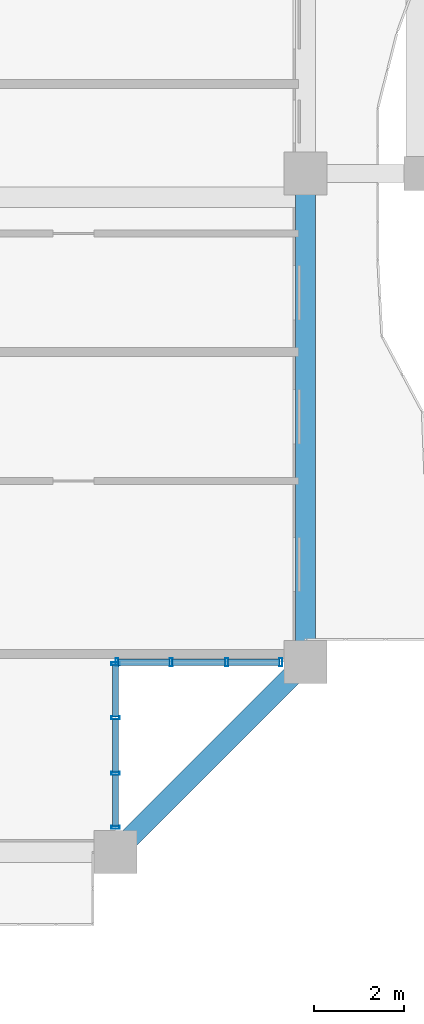
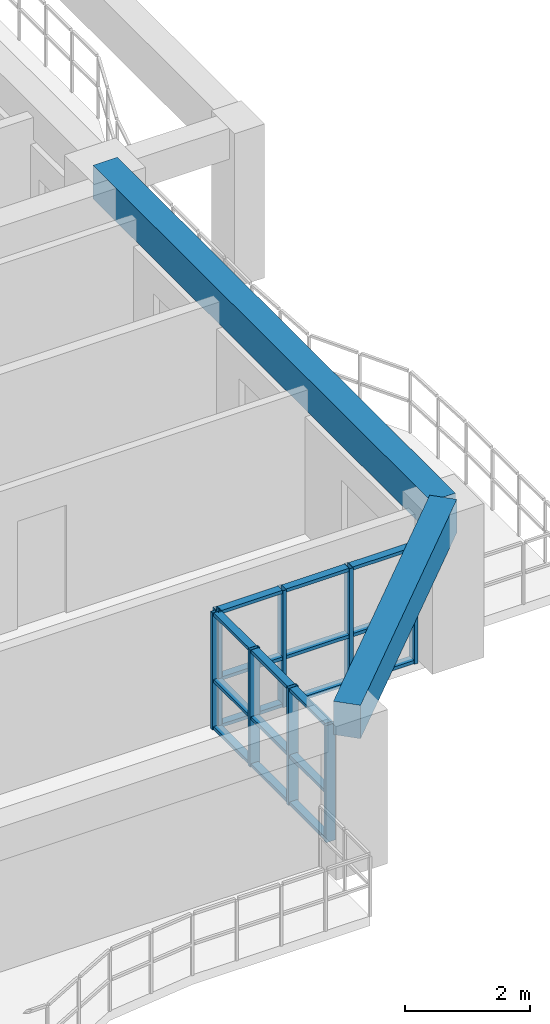
# One storey, part 4 of 26: 26 members, 2 beams, 2 elements without a shape of their own.
"""IFC4 building model written with IfcOpenShell, lengths in metres."""

from ifc_helpers import new_model, si_unit, direction, frame, origin, origin_2d, place, context, subcontext, project, spatial, rectangle, hollow_rectangle, extrude, source, transform, mapped, material, layer, layer_set, material_profile, profile_set, type_object, element, aggregate, save


model = new_model("IFC4")

# Units and contexts
model_context = context("Model", 3, precision=1e-05, world=origin(), true_north=direction((0.0, 1.0)))
body_context = subcontext(model_context, "Body", "Model", "MODEL_VIEW")
ifc_project = project(units=[si_unit("LENGTHUNIT", "METRE"), si_unit("AREAUNIT", "SQUARE_METRE"), si_unit("VOLUMEUNIT", "CUBIC_METRE"), si_unit("PLANEANGLEUNIT", "RADIAN"), si_unit("MASSUNIT", "GRAM", prefix="KILO")], contexts=[model_context])

# Site, building, storey
site_placement = place(None, origin())
site = spatial("IfcSite", under=ifc_project, at=site_placement, CompositionType="ELEMENT")
building_placement = place(site_placement, origin())
building = spatial("IfcBuilding", under=site, at=building_placement, Name="Saelheon Loggia Tower", CompositionType="ELEMENT")
storey_placement = place(building_placement, frame((0.0, 0.0, 116.85009765625)))
storey = spatial("IfcBuildingStorey", under=building, at=storey_placement, Name="L37", CompositionType="ELEMENT", Elevation=116.85009765625)

# Beams
ifc_material_1 = material(Name="Concrete C40/50", Category="concrete")
ifc_material_profile_1 = material_profile(ifc_material_1, rectangle(XDim=0.449951171875, YDim=0.64990234375, at=origin_2d()), Name="RC-450x650")
ifc_profile_set_1 = profile_set([ifc_material_profile_1], Name="Concrete C40/50")
beam_type = type_object("IfcBeamType", Name="Beam_PerimTower_RC450x650", PredefinedType="BEAM", material=ifc_profile_set_1)
shared_shape_1 = source(origin(), body_context, "Body", "SweptSolid", [
    extrude(rectangle(XDim=0.449951171875, YDim=0.64990234375, at=origin_2d()), origin(), (0.0, 0.0, 1.0), 5.939697265625),
])
beam_1_placement = place(storey_placement, frame((59.800048828125, 3.0, 2.6748046875), z_axis=(0.707106781187, 0.707106781187, 0.0), x_axis=(-0.707106781187, 0.707106781187, 0.0)))
element("IfcBeam", 1, at=beam_1_placement, inside=storey, type_object=beam_type, Name="L37 Perimeter Frame Girder 04", PredefinedType="BEAM", context=body_context, shape_type="MappedRepresentation", body=[
    mapped(shared_shape_1, transform((0.0, 0.0, 0.0), scale=1.0)),
])
shared_shape_2 = source(origin(), body_context, "Body", "SweptSolid", [
    extrude(rectangle(XDim=0.449951171875, YDim=0.64990234375, at=origin_2d()), origin(), (0.0, 0.0, 1.0), 10.800048828125),
])
beam_2_placement = place(storey_placement, frame((64.0, 7.199951171875, 2.6748046875), z_axis=(0.0, 1.0, 0.0), x_axis=(-1.0, 0.0, 0.0)))
element("IfcBeam", 2, at=beam_2_placement, inside=storey, type_object=beam_type, Name="L37 Perimeter Frame Girder 05", PredefinedType="BEAM", context=body_context, shape_type="MappedRepresentation", body=[
    mapped(shared_shape_2, transform((0.0, 0.0, 0.0), scale=1.0)),
])

# Curtain wall, members
ifc_material_2 = material(Name="Thermal-Break Aluminium and Triple Low-E Glass", Category="aluminium")
ifc_layer = layer(ifc_material_2, 0.159912109375)
ifc_layer_set = layer_set([ifc_layer], Name="Thermal-Break Aluminium and Triple Low-E Glass")
curtain_wall_type = type_object("IfcCurtainWallType", Name="CW_TowerLoggiaLow", PredefinedType="NOTDEFINED", material=ifc_layer_set)
curtain_wall_1_placement = place(storey_placement, origin())
curtain_wall_1 = element("IfcCurtainWall", 3, at=curtain_wall_1_placement, inside=storey, type_object=curtain_wall_type, Name="L37 Corner Notch Glazing SE1", PredefinedType="NOTDEFINED")
ifc_material_3 = material(Name="Anodised Aluminium 6063-T6", Category="aluminium")
ifc_material_profile_2 = material_profile(ifc_material_3, hollow_rectangle(XDim=0.06494140625, YDim=0.179931640625, WallThickness=0.00390625, at=origin_2d()), Name="RHS-180x65x4")
ifc_profile_set_2 = profile_set([ifc_material_profile_2], Name="Anodised Aluminium 6063-T6")
member_type_1 = type_object("IfcMemberType", Name="CW_TowerLoggiaLow_Mullion", PredefinedType="MULLION", material=ifc_profile_set_2)
shared_shape_3 = source(origin(), body_context, "Body", "SweptSolid", [
    extrude(hollow_rectangle(XDim=0.06494140625, YDim=0.179931640625, WallThickness=0.00390625, at=origin_2d()), origin(), (0.0, 0.0, 1.0), 2.27978515625),
])
member_1_placement = place(storey_placement, frame((59.800048828125, 3.547607421875, 0.0), z_axis=(0.0, 0.0, 1.0), x_axis=(0.0, 1.0, 0.0)))
member_1 = element("IfcMember", 4, at=member_1_placement, type_object=member_type_1, Name="CW3 mullion 1", PredefinedType="MULLION", context=body_context, shape_type="MappedRepresentation", body=[
    mapped(shared_shape_3, transform((0.0, 0.0, 0.0), scale=1.0)),
])
member_2_placement = place(storey_placement, frame((59.800048828125, 4.743408203125, 0.0), z_axis=(0.0, 0.0, 1.0), x_axis=(0.0, 1.0, 0.0)))
member_2 = element("IfcMember", 5, at=member_2_placement, type_object=member_type_1, Name="CW3 mullion 2", PredefinedType="MULLION", context=body_context, shape_type="MappedRepresentation", body=[
    mapped(shared_shape_3, transform((0.0, 0.0, 0.0), scale=1.0)),
])
member_3_placement = place(storey_placement, frame((59.800048828125, 5.9716796875, 0.0), z_axis=(0.0, 0.0, 1.0), x_axis=(0.0, 1.0, 0.0)))
member_3 = element("IfcMember", 6, at=member_3_placement, type_object=member_type_1, Name="CW3 mullion 3", PredefinedType="MULLION", context=body_context, shape_type="MappedRepresentation", body=[
    mapped(shared_shape_3, transform((0.0, 0.0, 0.0), scale=1.0)),
])
member_4_placement = place(storey_placement, frame((59.800048828125, 7.16748046875, 0.0), z_axis=(0.0, 0.0, 1.0), x_axis=(0.0, 1.0, 0.0)))
member_4 = element("IfcMember", 7, at=member_4_placement, type_object=member_type_1, Name="CW3 mullion 4", PredefinedType="MULLION", context=body_context, shape_type="MappedRepresentation", body=[
    mapped(shared_shape_3, transform((0.0, 0.0, 0.0), scale=1.0)),
])

curtain_wall_2_placement = place(storey_placement, origin())
curtain_wall_2 = element("IfcCurtainWall", 8, at=curtain_wall_2_placement, inside=storey, type_object=curtain_wall_type, Name="L37 Corner Notch Glazing SE2", PredefinedType="NOTDEFINED")
member_5_placement = place(storey_placement, frame((59.83251953125, 7.199951171875, 0.0), z_axis=(0.0, 0.0, 1.0), x_axis=(1.0, 0.0, 0.0)))
member_5 = element("IfcMember", 9, at=member_5_placement, type_object=member_type_1, Name="CW3 mullion 1", PredefinedType="MULLION", context=body_context, shape_type="MappedRepresentation", body=[
    mapped(shared_shape_3, transform((0.0, 0.0, 0.0), scale=1.0)),
])
member_6_placement = place(storey_placement, frame((61.0283203125, 7.199951171875, 0.0), z_axis=(0.0, 0.0, 1.0), x_axis=(1.0, 0.0, 0.0)))
member_6 = element("IfcMember", 10, at=member_6_placement, type_object=member_type_1, Name="CW3 mullion 2", PredefinedType="MULLION", context=body_context, shape_type="MappedRepresentation", body=[
    mapped(shared_shape_3, transform((0.0, 0.0, 0.0), scale=1.0)),
])
member_7_placement = place(storey_placement, frame((62.256591796875, 7.199951171875, 0.0), z_axis=(0.0, 0.0, 1.0), x_axis=(1.0, 0.0, 0.0)))
member_7 = element("IfcMember", 11, at=member_7_placement, type_object=member_type_1, Name="CW3 mullion 3", PredefinedType="MULLION", context=body_context, shape_type="MappedRepresentation", body=[
    mapped(shared_shape_3, transform((0.0, 0.0, 0.0), scale=1.0)),
])
member_8_placement = place(storey_placement, frame((63.452392578125, 7.199951171875, 0.0), z_axis=(0.0, 0.0, 1.0), x_axis=(1.0, 0.0, 0.0)))
member_8 = element("IfcMember", 12, at=member_8_placement, type_object=member_type_1, Name="CW3 mullion 4", PredefinedType="MULLION", context=body_context, shape_type="MappedRepresentation", body=[
    mapped(shared_shape_3, transform((0.0, 0.0, 0.0), scale=1.0)),
])

# Member
ifc_material_profile_3 = material_profile(ifc_material_3, hollow_rectangle(XDim=0.06494140625, YDim=0.139892578125, WallThickness=0.00390625, at=origin_2d()), Name="RHS-140x65x4")
ifc_profile_set_3 = profile_set([ifc_material_profile_3], Name="Anodised Aluminium 6063-T6")
member_type_2 = type_object("IfcMemberType", Name="CW_TowerLoggiaLow_Transom", PredefinedType="USERDEFINED", material=ifc_profile_set_3)
shared_shape_4 = source(origin(), body_context, "Body", "SweptSolid", [
    extrude(hollow_rectangle(XDim=0.06494140625, YDim=0.139892578125, WallThickness=0.00390625, at=origin_2d()), origin(), (0.0, 0.0, 1.0), 1.130859375),
])
member_9_placement = place(storey_placement, frame((59.800048828125, 3.580078125, 0.032470703125), z_axis=(0.0, 1.0, 0.0), x_axis=(0.0, 0.0, 1.0)))
member_9 = element("IfcMember", 13, at=member_9_placement, type_object=member_type_2, Name="CW3 transom 1.1", ObjectType="TRANSOM", PredefinedType="USERDEFINED", context=body_context, shape_type="MappedRepresentation", body=[
    mapped(shared_shape_4, transform((0.0, 0.0, 0.0), scale=1.0)),
])

member_10_placement = place(storey_placement, frame((59.800048828125, 3.580078125, 0.949951171875), z_axis=(0.0, 1.0, 0.0), x_axis=(0.0, 0.0, 1.0)))
member_10 = element("IfcMember", 14, at=member_10_placement, type_object=member_type_2, Name="CW3 transom 1.2", ObjectType="TRANSOM", PredefinedType="USERDEFINED", context=body_context, shape_type="MappedRepresentation", body=[
    mapped(shared_shape_4, transform((0.0, 0.0, 0.0), scale=1.0)),
])

member_11_placement = place(storey_placement, frame((59.800048828125, 3.580078125, 2.247314453125), z_axis=(0.0, 1.0, 0.0), x_axis=(0.0, 0.0, 1.0)))
member_11 = element("IfcMember", 15, at=member_11_placement, type_object=member_type_2, Name="CW3 transom 1.3", ObjectType="TRANSOM", PredefinedType="USERDEFINED", context=body_context, shape_type="MappedRepresentation", body=[
    mapped(shared_shape_4, transform((0.0, 0.0, 0.0), scale=1.0)),
])

member_12_placement = place(storey_placement, frame((59.800048828125, 6.004150390625, 0.032470703125), z_axis=(0.0, 1.0, 0.0), x_axis=(0.0, 0.0, 1.0)))
member_12 = element("IfcMember", 16, at=member_12_placement, type_object=member_type_2, Name="CW3 transom 3.1", ObjectType="TRANSOM", PredefinedType="USERDEFINED", context=body_context, shape_type="MappedRepresentation", body=[
    mapped(shared_shape_4, transform((0.0, 0.0, 0.0), scale=1.0)),
])

member_13_placement = place(storey_placement, frame((59.800048828125, 6.004150390625, 0.949951171875), z_axis=(0.0, 1.0, 0.0), x_axis=(0.0, 0.0, 1.0)))
member_13 = element("IfcMember", 17, at=member_13_placement, type_object=member_type_2, Name="CW3 transom 3.2", ObjectType="TRANSOM", PredefinedType="USERDEFINED", context=body_context, shape_type="MappedRepresentation", body=[
    mapped(shared_shape_4, transform((0.0, 0.0, 0.0), scale=1.0)),
])

member_14_placement = place(storey_placement, frame((59.800048828125, 6.004150390625, 2.247314453125), z_axis=(0.0, 1.0, 0.0), x_axis=(0.0, 0.0, 1.0)))
member_14 = element("IfcMember", 18, at=member_14_placement, type_object=member_type_2, Name="CW3 transom 3.3", ObjectType="TRANSOM", PredefinedType="USERDEFINED", context=body_context, shape_type="MappedRepresentation", body=[
    mapped(shared_shape_4, transform((0.0, 0.0, 0.0), scale=1.0)),
])

member_15_placement = place(storey_placement, frame((59.864990234375, 7.199951171875, 0.032470703125), z_axis=(1.0, 0.0, 0.0), x_axis=(0.0, 0.0, 1.0)))
member_15 = element("IfcMember", 19, at=member_15_placement, type_object=member_type_2, Name="CW3 transom 1.1", ObjectType="TRANSOM", PredefinedType="USERDEFINED", context=body_context, shape_type="MappedRepresentation", body=[
    mapped(shared_shape_4, transform((0.0, 0.0, 0.0), scale=1.0)),
])

member_16_placement = place(storey_placement, frame((59.864990234375, 7.199951171875, 0.949951171875), z_axis=(1.0, 0.0, 0.0), x_axis=(0.0, 0.0, 1.0)))
member_16 = element("IfcMember", 20, at=member_16_placement, type_object=member_type_2, Name="CW3 transom 1.2", ObjectType="TRANSOM", PredefinedType="USERDEFINED", context=body_context, shape_type="MappedRepresentation", body=[
    mapped(shared_shape_4, transform((0.0, 0.0, 0.0), scale=1.0)),
])

member_17_placement = place(storey_placement, frame((59.864990234375, 7.199951171875, 2.247314453125), z_axis=(1.0, 0.0, 0.0), x_axis=(0.0, 0.0, 1.0)))
member_17 = element("IfcMember", 21, at=member_17_placement, type_object=member_type_2, Name="CW3 transom 1.3", ObjectType="TRANSOM", PredefinedType="USERDEFINED", context=body_context, shape_type="MappedRepresentation", body=[
    mapped(shared_shape_4, transform((0.0, 0.0, 0.0), scale=1.0)),
])

member_18_placement = place(storey_placement, frame((62.2890625, 7.199951171875, 0.032470703125), z_axis=(1.0, 0.0, 0.0), x_axis=(0.0, 0.0, 1.0)))
member_18 = element("IfcMember", 22, at=member_18_placement, type_object=member_type_2, Name="CW3 transom 3.1", ObjectType="TRANSOM", PredefinedType="USERDEFINED", context=body_context, shape_type="MappedRepresentation", body=[
    mapped(shared_shape_4, transform((0.0, 0.0, 0.0), scale=1.0)),
])

member_19_placement = place(storey_placement, frame((62.2890625, 7.199951171875, 0.949951171875), z_axis=(1.0, 0.0, 0.0), x_axis=(0.0, 0.0, 1.0)))
member_19 = element("IfcMember", 23, at=member_19_placement, type_object=member_type_2, Name="CW3 transom 3.2", ObjectType="TRANSOM", PredefinedType="USERDEFINED", context=body_context, shape_type="MappedRepresentation", body=[
    mapped(shared_shape_4, transform((0.0, 0.0, 0.0), scale=1.0)),
])

member_20_placement = place(storey_placement, frame((62.2890625, 7.199951171875, 2.247314453125), z_axis=(1.0, 0.0, 0.0), x_axis=(0.0, 0.0, 1.0)))
member_20 = element("IfcMember", 24, at=member_20_placement, type_object=member_type_2, Name="CW3 transom 3.3", ObjectType="TRANSOM", PredefinedType="USERDEFINED", context=body_context, shape_type="MappedRepresentation", body=[
    mapped(shared_shape_4, transform((0.0, 0.0, 0.0), scale=1.0)),
])

shared_shape_5 = source(origin(), body_context, "Body", "SweptSolid", [
    extrude(hollow_rectangle(XDim=0.06494140625, YDim=0.139892578125, WallThickness=0.00390625, at=origin_2d()), origin(), (0.0, 0.0, 1.0), 1.163330078125),
])
member_21_placement = place(storey_placement, frame((59.800048828125, 4.77587890625, 0.032470703125), z_axis=(0.0, 1.0, 0.0), x_axis=(0.0, 0.0, 1.0)))
member_21 = element("IfcMember", 25, at=member_21_placement, type_object=member_type_2, Name="CW3 transom 2.1", ObjectType="TRANSOM", PredefinedType="USERDEFINED", context=body_context, shape_type="MappedRepresentation", body=[
    mapped(shared_shape_5, transform((0.0, 0.0, 0.0), scale=1.0)),
])

member_22_placement = place(storey_placement, frame((59.800048828125, 4.77587890625, 0.949951171875), z_axis=(0.0, 1.0, 0.0), x_axis=(0.0, 0.0, 1.0)))
member_22 = element("IfcMember", 26, at=member_22_placement, type_object=member_type_2, Name="CW3 transom 2.2", ObjectType="TRANSOM", PredefinedType="USERDEFINED", context=body_context, shape_type="MappedRepresentation", body=[
    mapped(shared_shape_5, transform((0.0, 0.0, 0.0), scale=1.0)),
])

member_23_placement = place(storey_placement, frame((59.800048828125, 4.77587890625, 2.247314453125), z_axis=(0.0, 1.0, 0.0), x_axis=(0.0, 0.0, 1.0)))
member_23 = element("IfcMember", 27, at=member_23_placement, type_object=member_type_2, Name="CW3 transom 2.3", ObjectType="TRANSOM", PredefinedType="USERDEFINED", context=body_context, shape_type="MappedRepresentation", body=[
    mapped(shared_shape_5, transform((0.0, 0.0, 0.0), scale=1.0)),
])

aggregate(curtain_wall_1, [member_1, member_2, member_3, member_4, member_9, member_10, member_11, member_21, member_22, member_23, member_12, member_13, member_14])

member_24_placement = place(storey_placement, frame((61.060791015625, 7.199951171875, 0.032470703125), z_axis=(1.0, 0.0, 0.0), x_axis=(0.0, 0.0, 1.0)))
member_24 = element("IfcMember", 28, at=member_24_placement, type_object=member_type_2, Name="CW3 transom 2.1", ObjectType="TRANSOM", PredefinedType="USERDEFINED", context=body_context, shape_type="MappedRepresentation", body=[
    mapped(shared_shape_5, transform((0.0, 0.0, 0.0), scale=1.0)),
])

member_25_placement = place(storey_placement, frame((61.060791015625, 7.199951171875, 0.949951171875), z_axis=(1.0, 0.0, 0.0), x_axis=(0.0, 0.0, 1.0)))
member_25 = element("IfcMember", 29, at=member_25_placement, type_object=member_type_2, Name="CW3 transom 2.2", ObjectType="TRANSOM", PredefinedType="USERDEFINED", context=body_context, shape_type="MappedRepresentation", body=[
    mapped(shared_shape_5, transform((0.0, 0.0, 0.0), scale=1.0)),
])

member_26_placement = place(storey_placement, frame((61.060791015625, 7.199951171875, 2.247314453125), z_axis=(1.0, 0.0, 0.0), x_axis=(0.0, 0.0, 1.0)))
member_26 = element("IfcMember", 30, at=member_26_placement, type_object=member_type_2, Name="CW3 transom 2.3", ObjectType="TRANSOM", PredefinedType="USERDEFINED", context=body_context, shape_type="MappedRepresentation", body=[
    mapped(shared_shape_5, transform((0.0, 0.0, 0.0), scale=1.0)),
])

aggregate(curtain_wall_2, [member_5, member_6, member_7, member_8, member_15, member_16, member_17, member_24, member_25, member_26, member_18, member_19, member_20])

save(model, "model.ifc")
